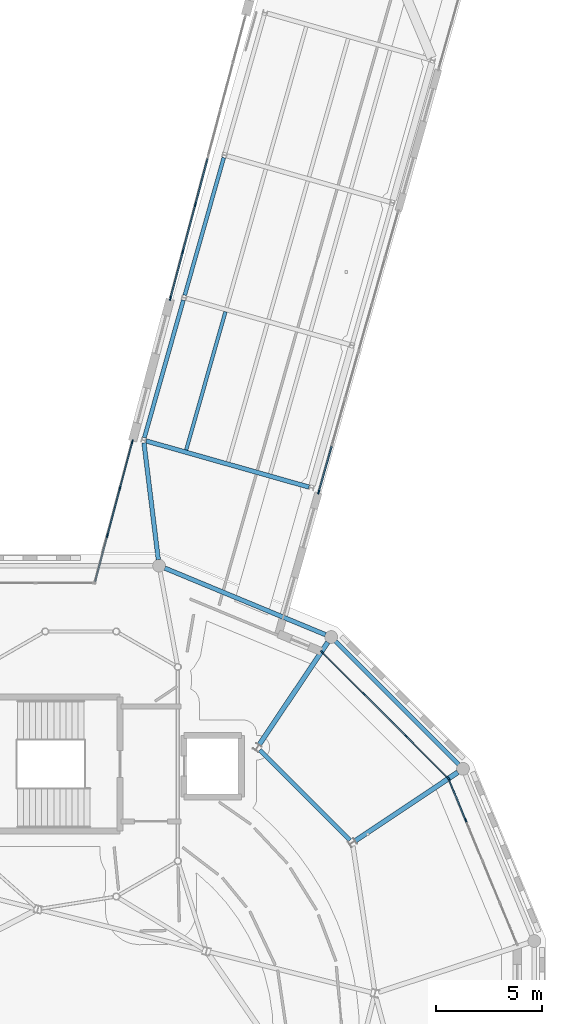
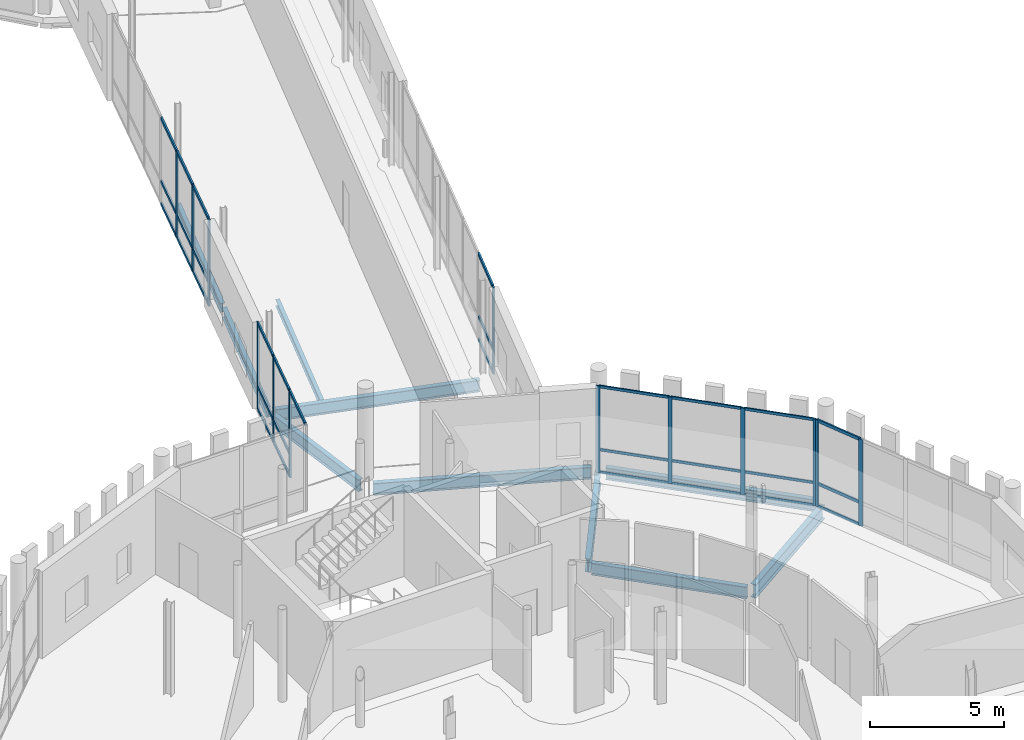
# One storey, part 60 of 125: 44 members, 10 beams, 5 elements without a shape of their own.
"""IFC4 building model written with IfcOpenShell, lengths in metres."""

import ifcopenshell
import ifcopenshell.guid

model = None  # the IFC model being written
_history = None  # IfcOwnerHistory: only IFC2X3 demands one
_inside = {}  # id of a spatial element -> (the spatial element, [elements in it])
_under = {}  # id of a project, library or spatial element -> (it, [spatial elements below it])
_declared = {}  # id of a project -> (the project, [libraries it declares])
_typed = {}  # id of a type object -> (the type object, [elements of that type])
_made_of = {}  # id of a material, layer set ... -> (it, [elements and type objects made of it])


def new_model(schema):
    """Start an empty IFC model of exactly this schema.

    Asked for "IFC4X3", IfcOpenShell would pick the latest addendum, in which some entities
    have other attributes; the version numbers below select the first issue.
    IFC2X3 requires an IfcOwnerHistory on every rooted entity: one is made here for all.
    """
    global model, _history
    if schema == "IFC4X3":
        model = ifcopenshell.file(schema_version=(4, 3, 0, 0))
    else:
        model = ifcopenshell.file(schema=schema)
    _inside.clear()
    _under.clear()
    _declared.clear()
    _typed.clear()
    _made_of.clear()
    _history = None
    if model.schema == "IFC2X3":
        org = make("IfcOrganization", Name="unknown")
        user = make(
            "IfcPersonAndOrganization",
            ThePerson=make("IfcPerson", FamilyName="unknown"),
            TheOrganization=org,
        )
        app = make(
            "IfcApplication",
            ApplicationDeveloper=org,
            Version="unknown",
            ApplicationFullName="unknown",
            ApplicationIdentifier="unknown",
        )
        _history = make(
            "IfcOwnerHistory",
            OwningUser=user,
            OwningApplication=app,
            ChangeAction="ADDED",
            CreationDate=0,
        )
    return model


def make(cls, **values):
    """One entity of the class cls with the attributes given. An attribute that is None is left unset."""
    return model.create_entity(
        cls, **{name: value for name, value in values.items() if value is not None}
    )


def rooted(cls, **values):
    """An entity with a GlobalId (a new one), such as an element, a storey or a relation."""
    return make(cls, GlobalId=ifcopenshell.guid.new(), OwnerHistory=_history, **values)


def si_unit(unit_type, name, prefix=None):
    """IfcSIUnit, for example si_unit("LENGTHUNIT", "METRE", prefix="MILLI")."""
    return make("IfcSIUnit", UnitType=unit_type, Prefix=prefix, Name=name)


def assignment(units):
    """IfcUnitAssignment: the units of a project."""
    return None if units is None else make("IfcUnitAssignment", Units=units)


def point(xyz):
    """IfcCartesianPoint."""
    return None if xyz is None else make("IfcCartesianPoint", Coordinates=xyz)


def direction(xyz):
    """IfcDirection."""
    return None if xyz is None else make("IfcDirection", DirectionRatios=xyz)


def frame(location, z_axis=None, x_axis=None):
    """IfcAxis2Placement3D, a coordinate frame: its origin and axes. An axis left out is left unset."""
    return make(
        "IfcAxis2Placement3D",
        Location=point(location),
        Axis=direction(z_axis),
        RefDirection=direction(x_axis),
    )


def frame_2d(location, x_axis=None):
    """IfcAxis2Placement2D, a coordinate frame in the plane: its origin and x axis."""
    return make(
        "IfcAxis2Placement2D", Location=point(location), RefDirection=direction(x_axis)
    )


def origin():
    """The frame at (0, 0, 0) with its axes left unset."""
    return frame((0.0, 0.0, 0.0))


def origin_2d():
    """The frame at (0, 0) in the plane with its x axis left unset."""
    return frame_2d((0.0, 0.0))


def place(relative_to, where):
    """IfcLocalPlacement: puts the frame where relative to a parent placement (None: the world)."""
    return make(
        "IfcLocalPlacement", PlacementRelTo=relative_to, RelativePlacement=where
    )


def context(
    kind, dimensions, precision=None, world=None, true_north=None, identifier=None
):
    """IfcGeometricRepresentationContext, for example the 3D "Model" context."""
    return make(
        "IfcGeometricRepresentationContext",
        ContextIdentifier=identifier,
        ContextType=kind,
        CoordinateSpaceDimension=dimensions,
        Precision=precision,
        WorldCoordinateSystem=world,
        TrueNorth=true_north,
    )


def subcontext(parent, identifier, kind, view, scale=None):
    """IfcGeometricRepresentationSubContext, for example "Body" below "Model"."""
    return make(
        "IfcGeometricRepresentationSubContext",
        ContextIdentifier=identifier,
        ContextType=kind,
        ParentContext=parent,
        TargetScale=scale,
        TargetView=view,
    )


def project(units=None, contexts=None):
    """IfcProject with its units and contexts."""
    return rooted(
        "IfcProject",
        Name="project",
        RepresentationContexts=contexts,
        UnitsInContext=assignment(units),
    )


def spatial(cls, under=None, at=None, **own):
    """A site, building, storey or space (cls), placed at a placement, below another one or the project."""
    s = rooted(cls, ObjectPlacement=at, **own)
    if under is not None:
        _under.setdefault(under.id(), (under, []))[1].append(s)
    return s


def profile(cls, at=None, kind="AREA", **sizes):
    """A parametric profile (cls). Its sizes go by their IFC names, for example OverallWidth=200.0."""
    return make(cls, ProfileType=kind, Position=at, **sizes)


def rectangle(**sizes):
    """IfcRectangleProfileDef."""
    return profile("IfcRectangleProfileDef", **sizes)


def i_section(**sizes):
    """IfcIShapeProfileDef."""
    return profile("IfcIShapeProfileDef", **sizes)


def extrude(swept, where, along, depth):
    """IfcExtrudedAreaSolid: the profile swept, set in the frame where, extruded along a direction by depth."""
    return make(
        "IfcExtrudedAreaSolid",
        SweptArea=swept,
        Position=where,
        ExtrudedDirection=direction(along),
        Depth=depth,
    )


def shape(context_of_items, identifier, shape_type, items):
    """IfcShapeRepresentation: the items that make up one representation, for example the "Body"."""
    return make(
        "IfcShapeRepresentation",
        ContextOfItems=context_of_items,
        RepresentationIdentifier=identifier,
        RepresentationType=shape_type,
        Items=items,
    )


def material(Name=None, Category=None):
    """IfcMaterial."""
    return make("IfcMaterial", Name=Name, Category=Category)


def material_profile(
    of_material, cross_section, Name=None, Category=None, Priority=None
):
    """IfcMaterialProfile: a cross section and its material."""
    return make(
        "IfcMaterialProfile",
        Name=Name,
        Material=of_material,
        Profile=cross_section,
        Priority=Priority,
        Category=Category,
    )


def profile_set(profiles, Name=None, composite=None):
    """IfcMaterialProfileSet."""
    return make(
        "IfcMaterialProfileSet",
        Name=Name,
        MaterialProfiles=profiles,
        CompositeProfile=composite,
    )


def made_of(thing, what):
    """Note that an element or type object is made of a material, layer set ...; save() writes the relation."""
    if what is not None:
        _made_of.setdefault(what.id(), (what, []))[1].append(thing)
    return thing


def type_object(cls, material=None, **own):
    """A type object (cls), such as IfcWallType, which elements share."""
    return made_of(rooted(cls, **own), material)


def element(
    cls,
    number,
    at=None,
    inside=None,
    cuts=None,
    type_object=None,
    material=None,
    context=None,
    identifier="Body",
    shape_type=None,
    held_by="IfcProductDefinitionShape",
    body=None,
    shapes=None,
    **own,
):
    """One element of the class cls, such as IfcWall. Its Tag is "e" and its number.

    at: its placement. inside: the storey or other place that contains it. cuts: it is an
    opening in that element (IfcRelVoidsElement). A single representation is given by context,
    identifier, shape_type and body (its items); several are given by shapes. held_by: the class
    of the entity that holds the representations. save() writes the other relations.
    """
    e = rooted(cls, Tag="e%d" % number, ObjectPlacement=at, **own)
    if body is not None:
        shapes = [shape(context, identifier, shape_type, body)]
    if shapes is not None:
        e.Representation = make(held_by, Representations=shapes)
    if inside is not None:
        _inside.setdefault(inside.id(), (inside, []))[1].append(e)
    if cuts is not None:
        rooted(
            "IfcRelVoidsElement", RelatingBuildingElement=cuts, RelatedOpeningElement=e
        )
    if type_object is not None:
        _typed.setdefault(type_object.id(), (type_object, []))[1].append(e)
    return made_of(e, material)


def aggregate(whole, parts):
    """IfcRelAggregates: a whole, such as a stair, and the parts it consists of."""
    return rooted("IfcRelAggregates", RelatingObject=whole, RelatedObjects=parts)


def save(model, path):
    """Write the relations noted so far, then the file.

    IfcRelAggregates (storeys below a building ...), IfcRelContainedInSpatialStructure (elements
    in a storey), IfcRelDefinesByType, IfcRelAssociatesMaterial and IfcRelDeclares: one each for
    every whole, place, type object, material and project.
    """
    for whole, parts in _under.values():
        aggregate(whole, parts)
    for where, things in _inside.values():
        rooted(
            "IfcRelContainedInSpatialStructure",
            RelatedElements=things,
            RelatingStructure=where,
        )
    for kind, things in _typed.values():
        rooted("IfcRelDefinesByType", RelatedObjects=things, RelatingType=kind)
    for what, things in _made_of.values():
        rooted("IfcRelAssociatesMaterial", RelatedObjects=things, RelatingMaterial=what)
    for by, libraries in _declared.values():
        rooted("IfcRelDeclares", RelatingContext=by, RelatedDefinitions=libraries)
    model.write(path)


model = new_model("IFC4")

# Units and contexts
model_context = context("Model", 3, precision=1e-05, world=origin(), true_north=direction((0.0, 1.0)))
body_context = subcontext(model_context, "Body", "Model", "MODEL_VIEW")
ifc_project = project(units=[si_unit("LENGTHUNIT", "METRE"), si_unit("AREAUNIT", "SQUARE_METRE"), si_unit("VOLUMEUNIT", "CUBIC_METRE"), si_unit("PLANEANGLEUNIT", "RADIAN"), si_unit("MASSUNIT", "GRAM", prefix="KILO")], contexts=[model_context])

# Site, building, storey
site_placement = place(None, origin())
site = spatial("IfcSite", under=ifc_project, at=site_placement, CompositionType="ELEMENT")
building_placement = place(site_placement, origin())
building = spatial("IfcBuilding", under=site, at=building_placement, Name="Wrenclough Park School", CompositionType="ELEMENT")
storey_placement = place(building_placement, frame((0.0, 0.0, 4.199951171875)))
storey = spatial("IfcBuildingStorey", under=building, at=storey_placement, Name="L01", CompositionType="ELEMENT", Elevation=4.199951171875)

# Curtain wall, members
ifc_material_1 = material(Name="Thermally broken aluminium and low-e glass curtain wall", Category="aluminium")
curtain_wall_type_1 = type_object("IfcCurtainWallType", Name="ENV-CW-12", PredefinedType="USERDEFINED", material=ifc_material_1)
curtain_wall_1_placement = place(storey_placement, origin())
curtain_wall_1 = element("IfcCurtainWall", 1, at=curtain_wall_1_placement, inside=storey, type_object=curtain_wall_type_1, Name="L01 recessed curtain wall assembly 123", ObjectType="CURTAIN WALL", PredefinedType="USERDEFINED")
ifc_material_2 = material(Name="Thermally broken anodised aluminium", Category="aluminium")
ifc_material_profile_1 = material_profile(ifc_material_2, rectangle(XDim=0.06005859375, YDim=0.159912109375, at=origin_2d()), Name="AL MULLION 60x160")
ifc_profile_set_1 = profile_set([ifc_material_profile_1], Name="Thermally broken anodised aluminium")
member_type_1 = type_object("IfcMemberType", Name="ENV-CWM-1", PredefinedType="MULLION", material=ifc_profile_set_1)
member_1_placement = place(storey_placement, frame((167.53955078125, 44.458740234375, 0.0), z_axis=(0.0, 0.0, 1.0), x_axis=(0.707106781187, 0.707106781187, 0.0)))
member_1 = element("IfcMember", 2, at=member_1_placement, type_object=member_type_1, Name="CW-12 mullion 1", PredefinedType="MULLION", context=body_context, shape_type="SweptSolid", body=[
    extrude(rectangle(XDim=0.06005859375, YDim=0.159912109375, at=origin_2d()), origin(), (0.0, 0.0, 1.0), 3.93994140625),
])
member_2_placement = place(storey_placement, frame((169.505615234375, 42.492919921875, 0.0), z_axis=(0.0, 0.0, 1.0), x_axis=(0.707106781187, 0.707106781187, 0.0)))
member_2 = element("IfcMember", 3, at=member_2_placement, type_object=member_type_1, Name="CW-12 mullion 2", PredefinedType="MULLION", context=body_context, shape_type="SweptSolid", body=[
    extrude(rectangle(XDim=0.06005859375, YDim=0.159912109375, at=origin_2d()), origin(), (0.0, 0.0, 1.0), 3.93994140625),
])
member_3_placement = place(storey_placement, frame((171.492919921875, 40.505615234375, 0.0), z_axis=(0.0, 0.0, 1.0), x_axis=(0.707106781187, 0.707106781187, 0.0)))
member_3 = element("IfcMember", 4, at=member_3_placement, type_object=member_type_1, Name="CW-12 mullion 3", PredefinedType="MULLION", context=body_context, shape_type="SweptSolid", body=[
    extrude(rectangle(XDim=0.06005859375, YDim=0.159912109375, at=origin_2d()), origin(), (0.0, 0.0, 1.0), 3.93994140625),
])
member_4_placement = place(storey_placement, frame((173.458740234375, 38.53955078125, 0.0), z_axis=(0.0, 0.0, 1.0), x_axis=(0.707106781187, 0.707106781187, 0.0)))
member_4 = element("IfcMember", 5, at=member_4_placement, type_object=member_type_1, Name="CW-12 mullion 4", PredefinedType="MULLION", context=body_context, shape_type="SweptSolid", body=[
    extrude(rectangle(XDim=0.06005859375, YDim=0.159912109375, at=origin_2d()), origin(), (0.0, 0.0, 1.0), 3.93994140625),
])

curtain_wall_type_2 = type_object("IfcCurtainWallType", Name="ENV-CW-13", PredefinedType="USERDEFINED", material=ifc_material_1)
curtain_wall_2_placement = place(storey_placement, origin())
curtain_wall_2 = element("IfcCurtainWall", 6, at=curtain_wall_2_placement, inside=storey, type_object=curtain_wall_type_2, Name="L01 recessed curtain wall assembly 124", ObjectType="CURTAIN WALL", PredefinedType="USERDEFINED")
ifc_material_profile_2 = material_profile(ifc_material_2, rectangle(XDim=0.06494140625, YDim=0.179931640625, at=origin_2d()), Name="AL MULLION 65x180")
ifc_profile_set_2 = profile_set([ifc_material_profile_2], Name="Thermally broken anodised aluminium")
member_type_2 = type_object("IfcMemberType", Name="ENV-CWM-2", PredefinedType="MULLION", material=ifc_profile_set_2)
member_5_placement = place(storey_placement, frame((173.496826171875, 38.48193359375, 0.0), z_axis=(0.0, 0.0, 1.0), x_axis=(0.923878191205, 0.382686670549, 0.0)))
member_5 = element("IfcMember", 7, at=member_5_placement, type_object=member_type_2, Name="CW-13 mullion 1", PredefinedType="MULLION", context=body_context, shape_type="SweptSolid", body=[
    extrude(rectangle(XDim=0.06494140625, YDim=0.179931640625, at=origin_2d()), origin(), (0.0, 0.0, 1.0), 3.93994140625),
])
member_6_placement = place(storey_placement, frame((174.290771484375, 36.564697265625, 0.0), z_axis=(0.0, 0.0, 1.0), x_axis=(0.923878191205, 0.382686670549, 0.0)))
member_6 = element("IfcMember", 8, at=member_6_placement, type_object=member_type_2, Name="CW-13 mullion 2", PredefinedType="MULLION", context=body_context, shape_type="SweptSolid", body=[
    extrude(rectangle(XDim=0.06494140625, YDim=0.179931640625, at=origin_2d()), origin(), (0.0, 0.0, 1.0), 3.93994140625),
])

curtain_wall_type_3 = type_object("IfcCurtainWallType", Name="ENV-CW-11", PredefinedType="USERDEFINED", material=ifc_material_1)
curtain_wall_3_placement = place(storey_placement, origin())
curtain_wall_3 = element("IfcCurtainWall", 9, at=curtain_wall_3_placement, inside=storey, type_object=curtain_wall_type_3, Name="L01 recessed curtain wall assembly 154", ObjectType="CURTAIN WALL", PredefinedType="USERDEFINED")
member_7_placement = place(storey_placement, frame((157.449951171875, 49.936767578125, 0.0), z_axis=(0.0, 0.0, 1.0), x_axis=(-0.966439051093, 0.256896011105, 0.0)))
member_7 = element("IfcMember", 10, at=member_7_placement, type_object=member_type_2, Name="CW-11 mullion 2", PredefinedType="MULLION", context=body_context, shape_type="SweptSolid", body=[
    extrude(rectangle(XDim=0.06494140625, YDim=0.179931640625, at=origin_2d()), origin(), (0.0, 0.0, 1.0), 3.93994140625),
])
member_8_placement = place(storey_placement, frame((158.040283203125, 52.157470703125, 0.0), z_axis=(0.0, 0.0, 1.0), x_axis=(-0.966439051093, 0.256896011105, 0.0)))
member_8 = element("IfcMember", 11, at=member_8_placement, type_object=member_type_2, Name="CW-11 mullion 3", PredefinedType="MULLION", context=body_context, shape_type="SweptSolid", body=[
    extrude(rectangle(XDim=0.06494140625, YDim=0.179931640625, at=origin_2d()), origin(), (0.0, 0.0, 1.0), 3.93994140625),
])
member_9_placement = place(storey_placement, frame((158.622314453125, 54.3466796875, 0.0), z_axis=(0.0, 0.0, 1.0), x_axis=(-0.966439051093, 0.256896011105, 0.0)))
member_9 = element("IfcMember", 12, at=member_9_placement, type_object=member_type_2, Name="CW-11 mullion 4", PredefinedType="MULLION", context=body_context, shape_type="SweptSolid", body=[
    extrude(rectangle(XDim=0.06494140625, YDim=0.179931640625, at=origin_2d()), origin(), (0.0, 0.0, 1.0), 3.93994140625),
])

# Curtain wall, member
curtain_wall_4_placement = place(storey_placement, origin())
curtain_wall_4 = element("IfcCurtainWall", 13, at=curtain_wall_4_placement, inside=storey, type_object=curtain_wall_type_3, Name="L01 recessed curtain wall assembly 122", ObjectType="CURTAIN WALL", PredefinedType="USERDEFINED")
ifc_material_profile_3 = material_profile(ifc_material_2, rectangle(XDim=0.070068359375, YDim=0.199951171875, at=origin_2d()), Name="AL MULLION 70x200")
ifc_profile_set_3 = profile_set([ifc_material_profile_3], Name="Thermally broken anodised aluminium")
member_type_3 = type_object("IfcMemberType", Name="ENV-CWM-3", PredefinedType="MULLION", material=ifc_profile_set_3)
member_10_placement = place(storey_placement, frame((167.384033203125, 51.9853515625, 0.0), z_axis=(0.0, 0.0, 1.0), x_axis=(0.96206825929, -0.272808842354, 0.0)))
member_10 = element("IfcMember", 14, at=member_10_placement, type_object=member_type_3, Name="CW-11 mullion 4", PredefinedType="MULLION", context=body_context, shape_type="SweptSolid", body=[
    extrude(rectangle(XDim=0.070068359375, YDim=0.199951171875, at=origin_2d()), origin(), (0.0, 0.0, 1.0), 3.93994140625),
])

# Curtain wall, members
curtain_wall_5_placement = place(storey_placement, origin())
curtain_wall_5 = element("IfcCurtainWall", 15, at=curtain_wall_5_placement, inside=storey, type_object=curtain_wall_type_1, Name="L01 recessed curtain wall assembly 155", ObjectType="CURTAIN WALL", PredefinedType="USERDEFINED")
member_11_placement = place(storey_placement, frame((160.41455078125, 61.089599609375, 0.0), z_axis=(0.0, 0.0, 1.0), x_axis=(-0.96644265261, 0.256882461871, 0.0)))
member_11 = element("IfcMember", 16, at=member_11_placement, type_object=member_type_3, Name="CW-12 mullion 1", PredefinedType="MULLION", context=body_context, shape_type="SweptSolid", body=[
    extrude(rectangle(XDim=0.070068359375, YDim=0.199951171875, at=origin_2d()), origin(), (0.0, 0.0, 1.0), 3.93994140625),
])
member_12_placement = place(storey_placement, frame((160.995849609375, 63.2763671875, 0.0), z_axis=(0.0, 0.0, 1.0), x_axis=(-0.96644265261, 0.256882461871, 0.0)))
member_12 = element("IfcMember", 17, at=member_12_placement, type_object=member_type_3, Name="CW-12 mullion 2", PredefinedType="MULLION", context=body_context, shape_type="SweptSolid", body=[
    extrude(rectangle(XDim=0.070068359375, YDim=0.199951171875, at=origin_2d()), origin(), (0.0, 0.0, 1.0), 3.93994140625),
])
member_13_placement = place(storey_placement, frame((161.5859375, 65.4970703125, 0.0), z_axis=(0.0, 0.0, 1.0), x_axis=(-0.96644265261, 0.256882461871, 0.0)))
member_13 = element("IfcMember", 18, at=member_13_placement, type_object=member_type_3, Name="CW-12 mullion 3", PredefinedType="MULLION", context=body_context, shape_type="SweptSolid", body=[
    extrude(rectangle(XDim=0.070068359375, YDim=0.199951171875, at=origin_2d()), origin(), (0.0, 0.0, 1.0), 3.93994140625),
])

# Member
ifc_material_profile_4 = material_profile(ifc_material_2, rectangle(XDim=0.06005859375, YDim=0.1201171875, at=origin_2d()), Name="AL TRANSOM 60x120")
ifc_profile_set_4 = profile_set([ifc_material_profile_4], Name="Thermally broken anodised aluminium")
member_type_4 = type_object("IfcMemberType", Name="ENV-CWT-1", PredefinedType="USERDEFINED", material=ifc_profile_set_4)
member_14_placement = place(storey_placement, frame((167.560791015625, 44.4375, 0.030029296875), z_axis=(0.707106781187, -0.707106781187, 0.0), x_axis=(0.707106781187, 0.707106781187, 0.0)))
member_14 = element("IfcMember", 19, at=member_14_placement, type_object=member_type_4, Name="CW-12 transom 1.1", ObjectType="TRANSOM", PredefinedType="USERDEFINED", context=body_context, shape_type="SweptSolid", body=[
    extrude(rectangle(XDim=0.06005859375, YDim=0.1201171875, at=origin_2d()), origin(), (0.0, 0.0, 1.0), 2.720458984375),
])

member_15_placement = place(storey_placement, frame((167.560791015625, 44.4375, 1.050048828125), z_axis=(0.707106781187, -0.707106781187, 0.0), x_axis=(0.707106781187, 0.707106781187, 0.0)))
member_15 = element("IfcMember", 20, at=member_15_placement, type_object=member_type_4, Name="CW-12 transom 1.2", ObjectType="TRANSOM", PredefinedType="USERDEFINED", context=body_context, shape_type="SweptSolid", body=[
    extrude(rectangle(XDim=0.06005859375, YDim=0.1201171875, at=origin_2d()), origin(), (0.0, 0.0, 1.0), 2.720458984375),
])

member_16_placement = place(storey_placement, frame((167.560791015625, 44.4375, 3.91015625), z_axis=(0.707106781187, -0.707106781187, 0.0), x_axis=(0.707106781187, 0.707106781187, 0.0)))
member_16 = element("IfcMember", 21, at=member_16_placement, type_object=member_type_4, Name="CW-12 transom 1.3", ObjectType="TRANSOM", PredefinedType="USERDEFINED", context=body_context, shape_type="SweptSolid", body=[
    extrude(rectangle(XDim=0.06005859375, YDim=0.1201171875, at=origin_2d()), origin(), (0.0, 0.0, 1.0), 2.720458984375),
])

member_17_placement = place(storey_placement, frame((169.52685546875, 42.4716796875, 0.030029296875), z_axis=(0.707106781187, -0.707106781187, 0.0), x_axis=(0.707106781187, 0.707106781187, 0.0)))
member_17 = element("IfcMember", 22, at=member_17_placement, type_object=member_type_4, Name="CW-12 transom 2.1", ObjectType="TRANSOM", PredefinedType="USERDEFINED", context=body_context, shape_type="SweptSolid", body=[
    extrude(rectangle(XDim=0.06005859375, YDim=0.1201171875, at=origin_2d()), origin(), (0.0, 0.0, 1.0), 2.75048828125),
])

member_18_placement = place(storey_placement, frame((169.52685546875, 42.4716796875, 1.050048828125), z_axis=(0.707106781187, -0.707106781187, 0.0), x_axis=(0.707106781187, 0.707106781187, 0.0)))
member_18 = element("IfcMember", 23, at=member_18_placement, type_object=member_type_4, Name="CW-12 transom 2.2", ObjectType="TRANSOM", PredefinedType="USERDEFINED", context=body_context, shape_type="SweptSolid", body=[
    extrude(rectangle(XDim=0.06005859375, YDim=0.1201171875, at=origin_2d()), origin(), (0.0, 0.0, 1.0), 2.75048828125),
])

member_19_placement = place(storey_placement, frame((169.52685546875, 42.4716796875, 3.91015625), z_axis=(0.707106781187, -0.707106781187, 0.0), x_axis=(0.707106781187, 0.707106781187, 0.0)))
member_19 = element("IfcMember", 24, at=member_19_placement, type_object=member_type_4, Name="CW-12 transom 2.3", ObjectType="TRANSOM", PredefinedType="USERDEFINED", context=body_context, shape_type="SweptSolid", body=[
    extrude(rectangle(XDim=0.06005859375, YDim=0.1201171875, at=origin_2d()), origin(), (0.0, 0.0, 1.0), 2.75048828125),
])

member_20_placement = place(storey_placement, frame((171.513916015625, 40.484375, 0.030029296875), z_axis=(0.707106781187, -0.707106781187, 0.0), x_axis=(0.707106781187, 0.707106781187, 0.0)))
member_20 = element("IfcMember", 25, at=member_20_placement, type_object=member_type_4, Name="CW-12 transom 3.1", ObjectType="TRANSOM", PredefinedType="USERDEFINED", context=body_context, shape_type="SweptSolid", body=[
    extrude(rectangle(XDim=0.06005859375, YDim=0.1201171875, at=origin_2d()), origin(), (0.0, 0.0, 1.0), 2.720458984375),
])

member_21_placement = place(storey_placement, frame((171.513916015625, 40.484375, 1.050048828125), z_axis=(0.707106781187, -0.707106781187, 0.0), x_axis=(0.707106781187, 0.707106781187, 0.0)))
member_21 = element("IfcMember", 26, at=member_21_placement, type_object=member_type_4, Name="CW-12 transom 3.2", ObjectType="TRANSOM", PredefinedType="USERDEFINED", context=body_context, shape_type="SweptSolid", body=[
    extrude(rectangle(XDim=0.06005859375, YDim=0.1201171875, at=origin_2d()), origin(), (0.0, 0.0, 1.0), 2.720458984375),
])

member_22_placement = place(storey_placement, frame((171.513916015625, 40.484375, 3.91015625), z_axis=(0.707106781187, -0.707106781187, 0.0), x_axis=(0.707106781187, 0.707106781187, 0.0)))
member_22 = element("IfcMember", 27, at=member_22_placement, type_object=member_type_4, Name="CW-12 transom 3.3", ObjectType="TRANSOM", PredefinedType="USERDEFINED", context=body_context, shape_type="SweptSolid", body=[
    extrude(rectangle(XDim=0.06005859375, YDim=0.1201171875, at=origin_2d()), origin(), (0.0, 0.0, 1.0), 2.720458984375),
])

aggregate(curtain_wall_1, [member_1, member_2, member_3, member_4, member_14, member_15, member_16, member_17, member_18, member_19, member_20, member_21, member_22])

ifc_material_profile_5 = material_profile(ifc_material_2, rectangle(XDim=0.06494140625, YDim=0.139892578125, at=origin_2d()), Name="AL TRANSOM 65x140")
ifc_profile_set_5 = profile_set([ifc_material_profile_5], Name="Thermally broken anodised aluminium")
member_type_5 = type_object("IfcMemberType", Name="ENV-CWT-2", PredefinedType="USERDEFINED", material=ifc_profile_set_5)
member_23_placement = place(storey_placement, frame((173.50927734375, 38.451904296875, 0.032470703125), z_axis=(0.382587787998, -0.923919143905, 0.0), x_axis=(0.923919143905, 0.382587787998, 0.0)))
member_23 = element("IfcMember", 28, at=member_23_placement, type_object=member_type_5, Name="CW-13 transom 1.1", ObjectType="TRANSOM", PredefinedType="USERDEFINED", context=body_context, shape_type="SweptSolid", body=[
    extrude(rectangle(XDim=0.06494140625, YDim=0.139892578125, at=origin_2d()), origin(), (0.0, 0.0, 1.0), 2.010009765625),
])

member_24_placement = place(storey_placement, frame((173.50927734375, 38.451904296875, 1.050048828125), z_axis=(0.382587787998, -0.923919143905, 0.0), x_axis=(0.923919143905, 0.382587787998, 0.0)))
member_24 = element("IfcMember", 29, at=member_24_placement, type_object=member_type_5, Name="CW-13 transom 1.2", ObjectType="TRANSOM", PredefinedType="USERDEFINED", context=body_context, shape_type="SweptSolid", body=[
    extrude(rectangle(XDim=0.06494140625, YDim=0.139892578125, at=origin_2d()), origin(), (0.0, 0.0, 1.0), 2.010009765625),
])

member_25_placement = place(storey_placement, frame((173.50927734375, 38.451904296875, 3.907470703125), z_axis=(0.382587787998, -0.923919143905, 0.0), x_axis=(0.923919143905, 0.382587787998, 0.0)))
member_25 = element("IfcMember", 30, at=member_25_placement, type_object=member_type_5, Name="CW-13 transom 1.3", ObjectType="TRANSOM", PredefinedType="USERDEFINED", context=body_context, shape_type="SweptSolid", body=[
    extrude(rectangle(XDim=0.06494140625, YDim=0.139892578125, at=origin_2d()), origin(), (0.0, 0.0, 1.0), 2.010009765625),
])

aggregate(curtain_wall_2, [member_5, member_6, member_23, member_24, member_25])

member_26_placement = place(storey_placement, frame((156.87646484375, 47.77880859375, 3.907470703125), z_axis=(0.256868360243, 0.966446400741, 0.0), x_axis=(-0.966446400741, 0.256868360243, 0.0)))
member_26 = element("IfcMember", 31, at=member_26_placement, type_object=member_type_5, Name="CW-11 transom 1.3", ObjectType="TRANSOM", PredefinedType="USERDEFINED", context=body_context, shape_type="SweptSolid", body=[
    extrude(rectangle(XDim=0.06494140625, YDim=0.139892578125, at=origin_2d()), origin(), (0.0, 0.0, 1.0), 2.2001953125),
])

member_27_placement = place(storey_placement, frame((157.458251953125, 49.968017578125, 0.032470703125), z_axis=(0.256941228789, 0.966427030328, 0.0), x_axis=(-0.966427030328, 0.256941228789, 0.0)))
member_27 = element("IfcMember", 32, at=member_27_placement, type_object=member_type_5, Name="CW-11 transom 2.1", ObjectType="TRANSOM", PredefinedType="USERDEFINED", context=body_context, shape_type="SweptSolid", body=[
    extrude(rectangle(XDim=0.06494140625, YDim=0.139892578125, at=origin_2d()), origin(), (0.0, 0.0, 1.0), 2.23291015625),
])

member_28_placement = place(storey_placement, frame((157.458251953125, 49.968017578125, 1.050048828125), z_axis=(0.256941228789, 0.966427030328, 0.0), x_axis=(-0.966427030328, 0.256941228789, 0.0)))
member_28 = element("IfcMember", 33, at=member_28_placement, type_object=member_type_5, Name="CW-11 transom 2.2", ObjectType="TRANSOM", PredefinedType="USERDEFINED", context=body_context, shape_type="SweptSolid", body=[
    extrude(rectangle(XDim=0.06494140625, YDim=0.139892578125, at=origin_2d()), origin(), (0.0, 0.0, 1.0), 2.23291015625),
])

member_29_placement = place(storey_placement, frame((157.458251953125, 49.968017578125, 3.907470703125), z_axis=(0.256941228789, 0.966427030328, 0.0), x_axis=(-0.966427030328, 0.256941228789, 0.0)))
member_29 = element("IfcMember", 34, at=member_29_placement, type_object=member_type_5, Name="CW-11 transom 2.3", ObjectType="TRANSOM", PredefinedType="USERDEFINED", context=body_context, shape_type="SweptSolid", body=[
    extrude(rectangle(XDim=0.06494140625, YDim=0.139892578125, at=origin_2d()), origin(), (0.0, 0.0, 1.0), 2.23291015625),
])

member_30_placement = place(storey_placement, frame((158.048583984375, 52.188720703125, 0.032470703125), z_axis=(0.256971992891, 0.966418850639, 0.0), x_axis=(-0.966418850639, 0.256971992891, 0.0)))
member_30 = element("IfcMember", 35, at=member_30_placement, type_object=member_type_5, Name="CW-11 transom 3.1", ObjectType="TRANSOM", PredefinedType="USERDEFINED", context=body_context, shape_type="SweptSolid", body=[
    extrude(rectangle(XDim=0.06494140625, YDim=0.139892578125, at=origin_2d()), origin(), (0.0, 0.0, 1.0), 2.200439453125),
])

member_31_placement = place(storey_placement, frame((158.048583984375, 52.188720703125, 1.050048828125), z_axis=(0.256971992891, 0.966418850639, 0.0), x_axis=(-0.966418850639, 0.256971992891, 0.0)))
member_31 = element("IfcMember", 36, at=member_31_placement, type_object=member_type_5, Name="CW-11 transom 3.2", ObjectType="TRANSOM", PredefinedType="USERDEFINED", context=body_context, shape_type="SweptSolid", body=[
    extrude(rectangle(XDim=0.06494140625, YDim=0.139892578125, at=origin_2d()), origin(), (0.0, 0.0, 1.0), 2.200439453125),
])

member_32_placement = place(storey_placement, frame((158.048583984375, 52.188720703125, 3.907470703125), z_axis=(0.256971992891, 0.966418850639, 0.0), x_axis=(-0.966418850639, 0.256971992891, 0.0)))
member_32 = element("IfcMember", 37, at=member_32_placement, type_object=member_type_5, Name="CW-11 transom 3.3", ObjectType="TRANSOM", PredefinedType="USERDEFINED", context=body_context, shape_type="SweptSolid", body=[
    extrude(rectangle(XDim=0.06494140625, YDim=0.139892578125, at=origin_2d()), origin(), (0.0, 0.0, 1.0), 2.200439453125),
])

aggregate(curtain_wall_3, [member_7, member_8, member_9, member_26, member_27, member_28, member_29, member_30, member_31, member_32])

ifc_material_profile_6 = material_profile(ifc_material_2, rectangle(XDim=0.070068359375, YDim=0.14990234375, at=origin_2d()), Name="AL TRANSOM 70x150")
ifc_profile_set_6 = profile_set([ifc_material_profile_6], Name="Thermally broken anodised aluminium")
member_type_6 = type_object("IfcMemberType", Name="ENV-CWT-3", PredefinedType="USERDEFINED", material=ifc_profile_set_6)
member_33_placement = place(storey_placement, frame((167.990478515625, 54.12451171875, 0.03515625), z_axis=(-0.272760913784, -0.962081848863, 0.0), x_axis=(0.962081848863, -0.272760913784, 0.0)))
member_33 = element("IfcMember", 38, at=member_33_placement, type_object=member_type_6, Name="CW-11 transom 3.1", ObjectType="TRANSOM", PredefinedType="USERDEFINED", context=body_context, shape_type="SweptSolid", body=[
    extrude(rectangle(XDim=0.070068359375, YDim=0.14990234375, at=origin_2d()), origin(), (0.0, 0.0, 1.0), 2.1884765625),
])

member_34_placement = place(storey_placement, frame((167.990478515625, 54.12451171875, 1.050048828125), z_axis=(-0.272760913784, -0.962081848863, 0.0), x_axis=(0.962081848863, -0.272760913784, 0.0)))
member_34 = element("IfcMember", 39, at=member_34_placement, type_object=member_type_6, Name="CW-11 transom 3.2", ObjectType="TRANSOM", PredefinedType="USERDEFINED", context=body_context, shape_type="SweptSolid", body=[
    extrude(rectangle(XDim=0.070068359375, YDim=0.14990234375, at=origin_2d()), origin(), (0.0, 0.0, 1.0), 2.1884765625),
])

member_35_placement = place(storey_placement, frame((167.990478515625, 54.12451171875, 3.905029296875), z_axis=(-0.272760913784, -0.962081848863, 0.0), x_axis=(0.962081848863, -0.272760913784, 0.0)))
member_35 = element("IfcMember", 40, at=member_35_placement, type_object=member_type_6, Name="CW-11 transom 3.3", ObjectType="TRANSOM", PredefinedType="USERDEFINED", context=body_context, shape_type="SweptSolid", body=[
    extrude(rectangle(XDim=0.070068359375, YDim=0.14990234375, at=origin_2d()), origin(), (0.0, 0.0, 1.0), 2.1884765625),
])

aggregate(curtain_wall_4, [member_10, member_33, member_34, member_35])

member_36_placement = place(storey_placement, frame((160.423583984375, 61.123291015625, 0.03515625), z_axis=(0.256837976684, 0.966454475768, 0.0), x_axis=(-0.966454475768, 0.256837976684, 0.0)))
member_36 = element("IfcMember", 41, at=member_36_placement, type_object=member_type_6, Name="CW-12 transom 1.1", ObjectType="TRANSOM", PredefinedType="USERDEFINED", context=body_context, shape_type="SweptSolid", body=[
    extrude(rectangle(XDim=0.070068359375, YDim=0.14990234375, at=origin_2d()), origin(), (0.0, 0.0, 1.0), 2.19287109375),
])

member_37_placement = place(storey_placement, frame((160.423583984375, 61.123291015625, 1.050048828125), z_axis=(0.256837976684, 0.966454475768, 0.0), x_axis=(-0.966454475768, 0.256837976684, 0.0)))
member_37 = element("IfcMember", 42, at=member_37_placement, type_object=member_type_6, Name="CW-12 transom 1.2", ObjectType="TRANSOM", PredefinedType="USERDEFINED", context=body_context, shape_type="SweptSolid", body=[
    extrude(rectangle(XDim=0.070068359375, YDim=0.14990234375, at=origin_2d()), origin(), (0.0, 0.0, 1.0), 2.19287109375),
])

member_38_placement = place(storey_placement, frame((160.423583984375, 61.123291015625, 3.905029296875), z_axis=(0.256837976684, 0.966454475768, 0.0), x_axis=(-0.966454475768, 0.256837976684, 0.0)))
member_38 = element("IfcMember", 43, at=member_38_placement, type_object=member_type_6, Name="CW-12 transom 1.3", ObjectType="TRANSOM", PredefinedType="USERDEFINED", context=body_context, shape_type="SweptSolid", body=[
    extrude(rectangle(XDim=0.070068359375, YDim=0.14990234375, at=origin_2d()), origin(), (0.0, 0.0, 1.0), 2.19287109375),
])

member_39_placement = place(storey_placement, frame((161.004638671875, 63.310302734375, 0.03515625), z_axis=(0.256973708472, 0.966418394462, 0.0), x_axis=(-0.966418394462, 0.256973708472, 0.0)))
member_39 = element("IfcMember", 44, at=member_39_placement, type_object=member_type_6, Name="CW-12 transom 2.1", ObjectType="TRANSOM", PredefinedType="USERDEFINED", context=body_context, shape_type="SweptSolid", body=[
    extrude(rectangle(XDim=0.070068359375, YDim=0.14990234375, at=origin_2d()), origin(), (0.0, 0.0, 1.0), 2.227783203125),
])

member_40_placement = place(storey_placement, frame((161.004638671875, 63.310302734375, 1.050048828125), z_axis=(0.256973708472, 0.966418394462, 0.0), x_axis=(-0.966418394462, 0.256973708472, 0.0)))
member_40 = element("IfcMember", 45, at=member_40_placement, type_object=member_type_6, Name="CW-12 transom 2.2", ObjectType="TRANSOM", PredefinedType="USERDEFINED", context=body_context, shape_type="SweptSolid", body=[
    extrude(rectangle(XDim=0.070068359375, YDim=0.14990234375, at=origin_2d()), origin(), (0.0, 0.0, 1.0), 2.227783203125),
])

member_41_placement = place(storey_placement, frame((161.004638671875, 63.310302734375, 3.905029296875), z_axis=(0.256973708472, 0.966418394462, 0.0), x_axis=(-0.966418394462, 0.256973708472, 0.0)))
member_41 = element("IfcMember", 46, at=member_41_placement, type_object=member_type_6, Name="CW-12 transom 2.3", ObjectType="TRANSOM", PredefinedType="USERDEFINED", context=body_context, shape_type="SweptSolid", body=[
    extrude(rectangle(XDim=0.070068359375, YDim=0.14990234375, at=origin_2d()), origin(), (0.0, 0.0, 1.0), 2.227783203125),
])

member_42_placement = place(storey_placement, frame((161.594970703125, 65.531005859375, 0.03515625), z_axis=(0.256865614096, 0.966447130626, 0.0), x_axis=(-0.966447130626, 0.256865614096, 0.0)))
member_42 = element("IfcMember", 47, at=member_42_placement, type_object=member_type_6, Name="CW-12 transom 3.1", ObjectType="TRANSOM", PredefinedType="USERDEFINED", context=body_context, shape_type="SweptSolid", body=[
    extrude(rectangle(XDim=0.070068359375, YDim=0.14990234375, at=origin_2d()), origin(), (0.0, 0.0, 1.0), 2.192626953125),
])

member_43_placement = place(storey_placement, frame((161.594970703125, 65.531005859375, 1.050048828125), z_axis=(0.256865614096, 0.966447130626, 0.0), x_axis=(-0.966447130626, 0.256865614096, 0.0)))
member_43 = element("IfcMember", 48, at=member_43_placement, type_object=member_type_6, Name="CW-12 transom 3.2", ObjectType="TRANSOM", PredefinedType="USERDEFINED", context=body_context, shape_type="SweptSolid", body=[
    extrude(rectangle(XDim=0.070068359375, YDim=0.14990234375, at=origin_2d()), origin(), (0.0, 0.0, 1.0), 2.192626953125),
])

member_44_placement = place(storey_placement, frame((161.594970703125, 65.531005859375, 3.905029296875), z_axis=(0.256865614096, 0.966447130626, 0.0), x_axis=(-0.966447130626, 0.256865614096, 0.0)))
member_44 = element("IfcMember", 49, at=member_44_placement, type_object=member_type_6, Name="CW-12 transom 3.3", ObjectType="TRANSOM", PredefinedType="USERDEFINED", context=body_context, shape_type="SweptSolid", body=[
    extrude(rectangle(XDim=0.070068359375, YDim=0.14990234375, at=origin_2d()), origin(), (0.0, 0.0, 1.0), 2.192626953125),
])

aggregate(curtain_wall_5, [member_11, member_12, member_13, member_36, member_37, member_38, member_39, member_40, member_41, member_42, member_43, member_44])

# Beams
ifc_material_3 = material(Name="Structural steel S355", Category="steel")
ifc_material_profile_7 = material_profile(ifc_material_3, i_section(OverallWidth=0.1650390625, OverallDepth=0.303466796875, WebThickness=0.006103515625, FlangeThickness=0.01025390625, FilletRadius=0.0087890625, at=origin_2d()), Name="UKB 305x165x40")
ifc_profile_set_7 = profile_set([ifc_material_profile_7], Name="Structural steel S355")
beam_type_1 = type_object("IfcBeamType", Name="STR-BM-UKB305", PredefinedType="JOIST", material=ifc_profile_set_7)
beam_1_placement = place(storey_placement, frame((161.15625, 53.9599609375, -0.3916015625), z_axis=(0.27284457139, 0.962058127071, 0.0), x_axis=(-0.962058127071, 0.27284457139, 0.0)))
element("IfcBeam", 50, at=beam_1_placement, inside=storey, type_object=beam_type_1, Name="W14 L01 secondary floor joist 0061", PredefinedType="JOIST", context=body_context, shape_type="SweptSolid", body=[
    extrude(i_section(OverallWidth=0.1650390625, OverallDepth=0.303466796875, WebThickness=0.006103515625, FlangeThickness=0.01025390625, FilletRadius=0.0087890625, at=origin_2d()), origin(), (0.0, 0.0, 1.0), 6.7548828125),
])
ifc_material_profile_8 = material_profile(ifc_material_3, i_section(OverallWidth=0.177978515625, OverallDepth=0.406494140625, WebThickness=0.0078125, FlangeThickness=0.0126953125, FilletRadius=0.01025390625, at=origin_2d()), Name="UKB 406x178x60")
ifc_profile_set_8 = profile_set([ifc_material_profile_8], Name="Structural steel S355")
beam_type_2 = type_object("IfcBeamType", Name="STR-BM-UKB406", PredefinedType="BEAM", material=ifc_profile_set_8)
beam_2_placement = place(storey_placement, frame((161.0888671875, 61.236083984375, -0.443115234375), z_axis=(0.272815567907, 0.962066352134, 0.0), x_axis=(-0.962066352134, 0.272815567907, 0.0)))
element("IfcBeam", 51, at=beam_2_placement, inside=storey, type_object=beam_type_2, Name="W14 L01 longitudinal edge beam L2", PredefinedType="BEAM", context=body_context, shape_type="SweptSolid", body=[
    extrude(i_section(OverallWidth=0.177978515625, OverallDepth=0.406494140625, WebThickness=0.0078125, FlangeThickness=0.0126953125, FilletRadius=0.01025390625, at=origin_2d()), origin(), (0.0, 0.0, 1.0), 6.7197265625),
])
ifc_material_profile_9 = material_profile(ifc_material_3, i_section(OverallWidth=0.18994140625, OverallDepth=0.453369140625, WebThickness=0.008544921875, FlangeThickness=0.0126953125, FilletRadius=0.01025390625, at=origin_2d()), Name="UKB 457x191x67")
ifc_profile_set_9 = profile_set([ifc_material_profile_9], Name="Structural steel S355")
beam_type_3 = type_object("IfcBeamType", Name="STR-BM-UKB457A", PredefinedType="BEAM", material=ifc_profile_set_9)
beam_3_placement = place(storey_placement, frame((159.188720703125, 54.5361328125, -0.466552734375), z_axis=(0.272849195102, 0.962056815751, 0.0), x_axis=(-0.962056815751, 0.272849195102, 0.0)))
element("IfcBeam", 52, at=beam_3_placement, inside=storey, type_object=beam_type_3, Name="W14 L01 longitudinal edge beam L1", PredefinedType="BEAM", context=body_context, shape_type="SweptSolid", body=[
    extrude(i_section(OverallWidth=0.18994140625, OverallDepth=0.453369140625, WebThickness=0.008544921875, FlangeThickness=0.0126953125, FilletRadius=0.01025390625, at=origin_2d()), origin(), (0.0, 0.0, 1.0), 6.7197265625),
])
ifc_material_profile_10 = material_profile(ifc_material_3, i_section(OverallWidth=0.209228515625, OverallDepth=0.533203125, WebThickness=0.010009765625, FlangeThickness=0.015625, FilletRadius=0.0126953125, at=origin_2d()), Name="UKB 533x210x92")
ifc_profile_set_10 = profile_set([ifc_material_profile_10], Name="Structural steel S355")
beam_type_4 = type_object("IfcBeamType", Name="STR-BM-UKB533A", PredefinedType="BEAM", material=ifc_profile_set_10)
beam_4_placement = place(storey_placement, frame((168.85888671875, 35.611083984375, -0.531494140625), z_axis=(-0.707106781187, 0.707106781187, 0.0), x_axis=(-0.707106781187, -0.707106781187, 0.0)))
element("IfcBeam", 53, at=beam_4_placement, inside=storey, type_object=beam_type_4, Name="D1 L01 middle ring beam 2", PredefinedType="BEAM", context=body_context, shape_type="SweptSolid", body=[
    extrude(i_section(OverallWidth=0.209228515625, OverallDepth=0.533203125, WebThickness=0.010009765625, FlangeThickness=0.015625, FilletRadius=0.0126953125, at=origin_2d()), origin(), (0.0, 0.0, 1.0), 6.00732421875),
])
beam_5_placement = place(storey_placement, frame((159.273193359375, 54.38525390625, -0.506591796875), z_axis=(0.962058282015, -0.272844025052, 0.0), x_axis=(0.272844025052, 0.962058282015, 0.0)))
element("IfcBeam", 54, at=beam_5_placement, inside=storey, type_object=beam_type_4, Name="W14 L01 transverse floor beam 1", PredefinedType="BEAM", context=body_context, shape_type="SweptSolid", body=[
    extrude(i_section(OverallWidth=0.209228515625, OverallDepth=0.533203125, WebThickness=0.010009765625, FlangeThickness=0.015625, FilletRadius=0.0126953125, at=origin_2d()), origin(), (0.0, 0.0, 1.0), 7.95556640625),
])
beam_6_placement = place(storey_placement, frame((159.17041015625, 54.29736328125, -0.531494140625), z_axis=(0.121846316688, -0.992548978696, 0.0), x_axis=(0.992548978696, 0.121846316688, 0.0)))
element("IfcBeam", 55, at=beam_6_placement, inside=storey, type_object=beam_type_4, Name="W14 L01 drum junction tie beam 29", PredefinedType="BEAM", context=body_context, shape_type="SweptSolid", body=[
    extrude(i_section(OverallWidth=0.209228515625, OverallDepth=0.533203125, WebThickness=0.010009765625, FlangeThickness=0.015625, FilletRadius=0.0126953125, at=origin_2d()), origin(), (0.0, 0.0, 1.0), 5.5341796875),
])
ifc_material_profile_11 = material_profile(ifc_material_3, i_section(OverallWidth=0.210693359375, OverallDepth=0.53955078125, WebThickness=0.01171875, FlangeThickness=0.018798828125, FilletRadius=0.0126953125, at=origin_2d()), Name="UKB 533x210x109")
ifc_profile_set_11 = profile_set([ifc_material_profile_11], Name="Structural steel S355")
beam_type_5 = type_object("IfcBeamType", Name="STR-BM-UKB533B", PredefinedType="SPANDREL", material=ifc_profile_set_11)
for number, where, z_axis, x_axis, name in (
    (56, (173.962890625, 39.17626953125, -0.53466796875), (-0.707106781187, 0.707106781187, 0.0), (-0.707106781187, -0.707106781187, 0.0), "D1 L01 outer ring spandrel beam 2"),
    (57, (167.70654296875, 45.276611328125, -0.53466796875), (-0.923872840962, 0.382699586795, 0.0), (-0.382699586795, -0.923872840962, 0.0), "D1 L01 outer ring spandrel beam 3"),
):
    element("IfcBeam", number, at=place(storey_placement, frame(where, z_axis=z_axis, x_axis=x_axis)), inside=storey, type_object=beam_type_5, Name=name, PredefinedType="SPANDREL", context=body_context, shape_type="SweptSolid", body=[
        extrude(i_section(OverallWidth=0.210693359375, OverallDepth=0.53955078125, WebThickness=0.01171875, FlangeThickness=0.018798828125, FilletRadius=0.0126953125, at=origin_2d()), origin(), (0.0, 0.0, 1.0), 8.18359375),
    ])
ifc_material_profile_12 = material_profile(ifc_material_3, i_section(OverallWidth=0.22900390625, OverallDepth=0.6123046875, WebThickness=0.011962890625, FlangeThickness=0.01953125, FilletRadius=0.0126953125, at=origin_2d()), Name="UKB 610x229x125")
ifc_profile_set_12 = profile_set([ifc_material_profile_12], Name="Structural steel S355")
beam_type_6 = type_object("IfcBeamType", Name="STR-BM-UKB610", PredefinedType="BEAM", material=ifc_profile_set_12)
for number, where, z_axis, x_axis, name in (
    (58, (173.927001953125, 38.8125, -0.571044921875), (-0.831467507714, -0.555573382746, 0.0), (0.555573382746, -0.831467507714, 0.0), "D1 L01 radial girder 2"),
    (59, (167.8125, 44.927001953125, -0.571044921875), (-0.555573382746, -0.831467507714, 0.0), (0.831467507714, -0.555573382746, 0.0), "D1 L01 radial girder 3"),
):
    element("IfcBeam", number, at=place(storey_placement, frame(where, z_axis=z_axis, x_axis=x_axis)), inside=storey, type_object=beam_type_6, Name=name, PredefinedType="BEAM", context=body_context, shape_type="SweptSolid", body=[
        extrude(i_section(OverallWidth=0.22900390625, OverallDepth=0.6123046875, WebThickness=0.011962890625, FlangeThickness=0.01953125, FilletRadius=0.0126953125, at=origin_2d()), origin(), (0.0, 0.0, 1.0), 5.804931640625),
    ])

save(model, "model.ifc")
